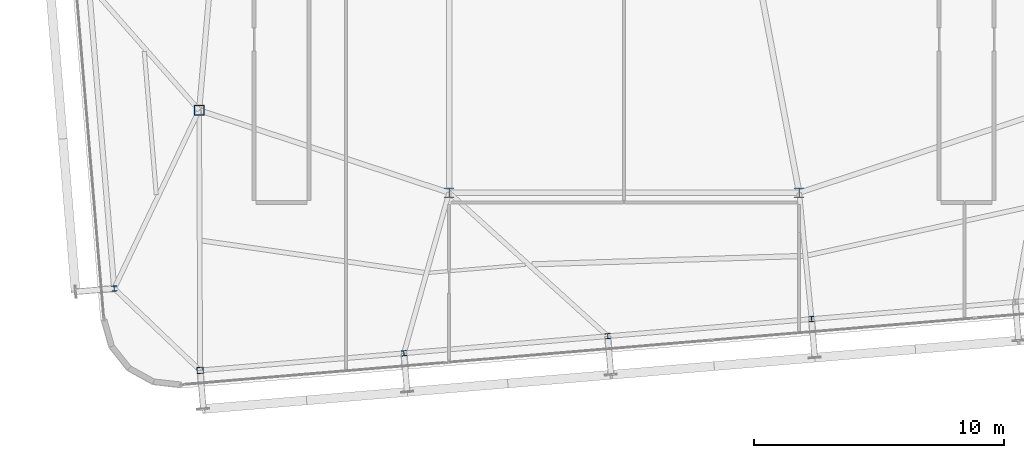
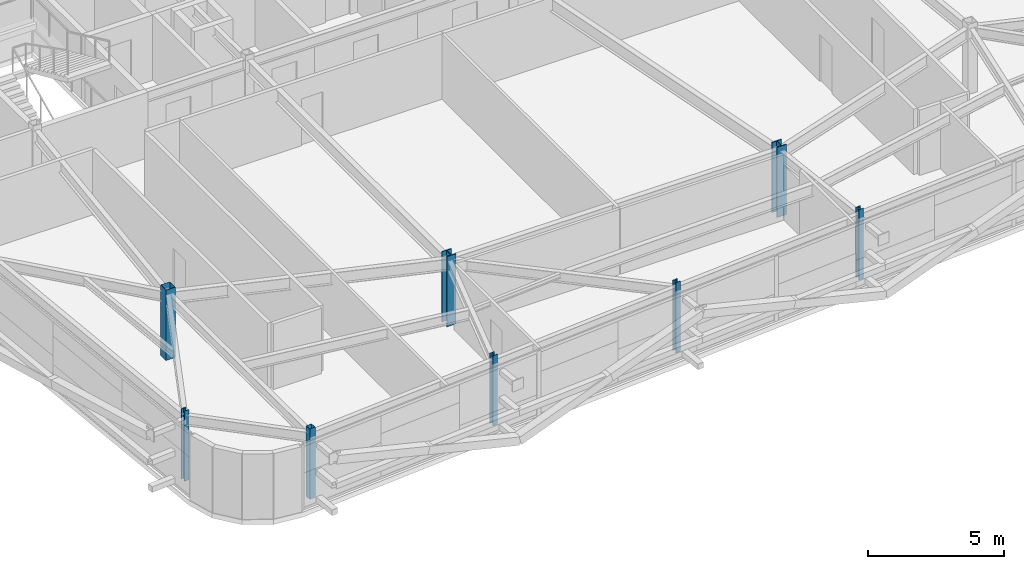
# One storey, part 1 of 37: 8 columns.
"""IFC4 building model written with IfcOpenShell, lengths in metres."""

from ifc_helpers import new_model, si_unit, direction, frame, origin, origin_2d, place, context, subcontext, project, spatial, hollow_rectangle, i_section, extrude, source, transform, mapped, material, material_profile, profile_set, type_object, element, save


model = new_model("IFC4")

# Units and contexts
model_context = context("Model", 3, precision=1e-05, world=origin(), true_north=direction((0.0, 1.0)))
body_context = subcontext(model_context, "Body", "Model", "MODEL_VIEW")
ifc_project = project(units=[si_unit("LENGTHUNIT", "METRE"), si_unit("AREAUNIT", "SQUARE_METRE"), si_unit("VOLUMEUNIT", "CUBIC_METRE"), si_unit("PLANEANGLEUNIT", "RADIAN"), si_unit("MASSUNIT", "GRAM", prefix="KILO")], contexts=[model_context])

# Site, building, storey
site_placement = place(None, origin())
site = spatial("IfcSite", under=ifc_project, at=site_placement, CompositionType="ELEMENT")
building_placement = place(site_placement, origin())
building = spatial("IfcBuilding", under=site, at=building_placement, Name="Taldren Reach Tower", CompositionType="ELEMENT")
storey_placement = place(building_placement, frame((0.0, 0.0, 200.89990234375)))
storey = spatial("IfcBuildingStorey", under=building, at=storey_placement, Name="L61", CompositionType="ELEMENT", Elevation=200.89990234375)

# Columns
ifc_material_1 = material(Name="Steel Gr 350 (350PLUS)", Category="steel")
ifc_material_profile_1 = material_profile(ifc_material_1, i_section(OverallWidth=0.39990234375, OverallDepth=0.39599609375, WebThickness=0.02197265625, FlangeThickness=0.033935546875, at=origin_2d()), Name="400WC270")
ifc_profile_set_1 = profile_set([ifc_material_profile_1], Name="Steel Gr 350 (350PLUS)")
column_type_1 = type_object("IfcColumnType", Name="COL-WC400", PredefinedType="COLUMN", material=ifc_profile_set_1)
shared_shape_1 = source(origin(), body_context, "Body", "SweptSolid", [
    extrude(i_section(OverallWidth=0.39990234375, OverallDepth=0.39599609375, WebThickness=0.02197265625, FlangeThickness=0.033935546875, at=origin_2d()), origin(), (0.0, 0.0, 1.0), 3.150146484375),
])
for number, where, z_axis, x_axis, name in (
    (1, (28.0, 9.199951171875, 0.0), (0.0, 0.0, 1.0), (1.0, 0.0, 0.0), "Mega column MC-PJW L61"),
    (2, (42.0, 9.199951171875, 0.0), (0.0, 0.0, 1.0), (1.0, 0.0, 0.0), "Mega column MC-PJE L61"),
):
    element("IfcColumn", number, at=place(storey_placement, frame(where, z_axis=z_axis, x_axis=x_axis)), inside=storey, type_object=column_type_1, Name=name, PredefinedType="COLUMN", context=body_context, shape_type="MappedRepresentation", body=[
        mapped(shared_shape_1, transform((0.0, 0.0, 0.0), scale=1.0)),
    ])
ifc_material_2 = material(Name="Steel Gr 450 (C450L0)", Category="steel")
ifc_material_profile_2 = material_profile(ifc_material_2, hollow_rectangle(XDim=0.39990234375, YDim=0.39990234375, WallThickness=0.01611328125, at=origin_2d()), Name="400x400x16.0SHS")
ifc_profile_set_2 = profile_set([ifc_material_profile_2], Name="Steel Gr 450 (C450L0)")
column_type_2 = type_object("IfcColumnType", Name="COL-SHS400", PredefinedType="COLUMN", material=ifc_profile_set_2)
shared_shape_2 = source(origin(), body_context, "Body", "SweptSolid", [
    extrude(hollow_rectangle(XDim=0.39990234375, YDim=0.39990234375, WallThickness=0.01611328125, at=origin_2d()), origin(), (0.0, 0.0, 1.0), 3.150146484375),
])
column_1_placement = place(storey_placement, frame((18.0, 12.5, 0.0), z_axis=(0.0, 0.0, 1.0), x_axis=(1.0, 0.0, 0.0)))
element("IfcColumn", 3, at=column_1_placement, inside=storey, type_object=column_type_2, Name="Mega column MC-SW L61", PredefinedType="COLUMN", context=body_context, shape_type="MappedRepresentation", body=[
    mapped(shared_shape_2, transform((0.0, 0.0, 0.0), scale=1.0)),
])
ifc_material_3 = material(Name="Steel Gr 350 (C350L0)", Category="steel")
ifc_material_profile_3 = material_profile(ifc_material_3, hollow_rectangle(XDim=0.25, YDim=0.25, WallThickness=0.010009765625, at=origin_2d()), Name="250x250x10.0SHS")
ifc_profile_set_3 = profile_set([ifc_material_profile_3], Name="Steel Gr 350 (C350L0)")
column_type_3 = type_object("IfcColumnType", Name="COL-SHS250", PredefinedType="COLUMN", material=ifc_profile_set_3)
shared_shape_3 = source(origin(), body_context, "Body", "SweptSolid", [
    extrude(hollow_rectangle(XDim=0.25, YDim=0.25, WallThickness=0.010009765625, at=origin_2d()), origin(), (0.0, 0.0, 1.0), 3.150146484375),
])
column_2_placement = place(storey_placement, frame((18.03955078125, 2.093994140625, 0.0), z_axis=(0.0, 0.0, 1.0), x_axis=(0.99649285925, 0.083677843332, 0.0)))
element("IfcColumn", 4, at=column_2_placement, inside=storey, type_object=column_type_3, Name="Block B4 perimeter column S1 L61", PredefinedType="COLUMN", context=body_context, shape_type="MappedRepresentation", body=[
    mapped(shared_shape_3, transform((0.0, 0.0, 0.0), scale=1.0)),
])
ifc_material_profile_4 = material_profile(ifc_material_1, i_section(OverallWidth=0.205078125, OverallDepth=0.2099609375, WebThickness=0.00927734375, FlangeThickness=0.01416015625, at=origin_2d()), Name="200UC59.5")
ifc_profile_set_4 = profile_set([ifc_material_profile_4], Name="Steel Gr 350 (350PLUS)")
column_type_4 = type_object("IfcColumnType", Name="COL-UC200", PredefinedType="COLUMN", material=ifc_profile_set_4)
shared_shape_4 = source(origin(), body_context, "Body", "SweptSolid", [
    extrude(i_section(OverallWidth=0.205078125, OverallDepth=0.2099609375, WebThickness=0.00927734375, FlangeThickness=0.01416015625, at=origin_2d()), origin(), (0.0, 0.0, 1.0), 3.150146484375),
])
for number, where, z_axis, x_axis, name in (
    (5, (26.19091796875, 2.778564453125, 0.0), (0.0, 0.0, 1.0), (0.99649285925, 0.083677843332, 0.0), "Block B4 perimeter column S2 L61"),
    (6, (34.34228515625, 3.462890625, 0.0), (0.0, 0.0, 1.0), (0.99649285925, 0.083677843332, 0.0), "Block B4 perimeter column S3 L61"),
    (7, (42.49365234375, 4.1474609375, 0.0), (0.0, 0.0, 1.0), (0.99649285925, 0.083677843332, 0.0), "Block B4 perimeter column S4 L61"),
    (8, (14.603759765625, 5.367919921875, 0.0), (0.0, 0.0, 1.0), (0.99649285925, 0.083677843332, 0.0), "Block B4 perimeter column W1 L61"),
):
    element("IfcColumn", number, at=place(storey_placement, frame(where, z_axis=z_axis, x_axis=x_axis)), inside=storey, type_object=column_type_4, Name=name, PredefinedType="COLUMN", context=body_context, shape_type="MappedRepresentation", body=[
        mapped(shared_shape_4, transform((0.0, 0.0, 0.0), scale=1.0)),
    ])

save(model, "model.ifc")
